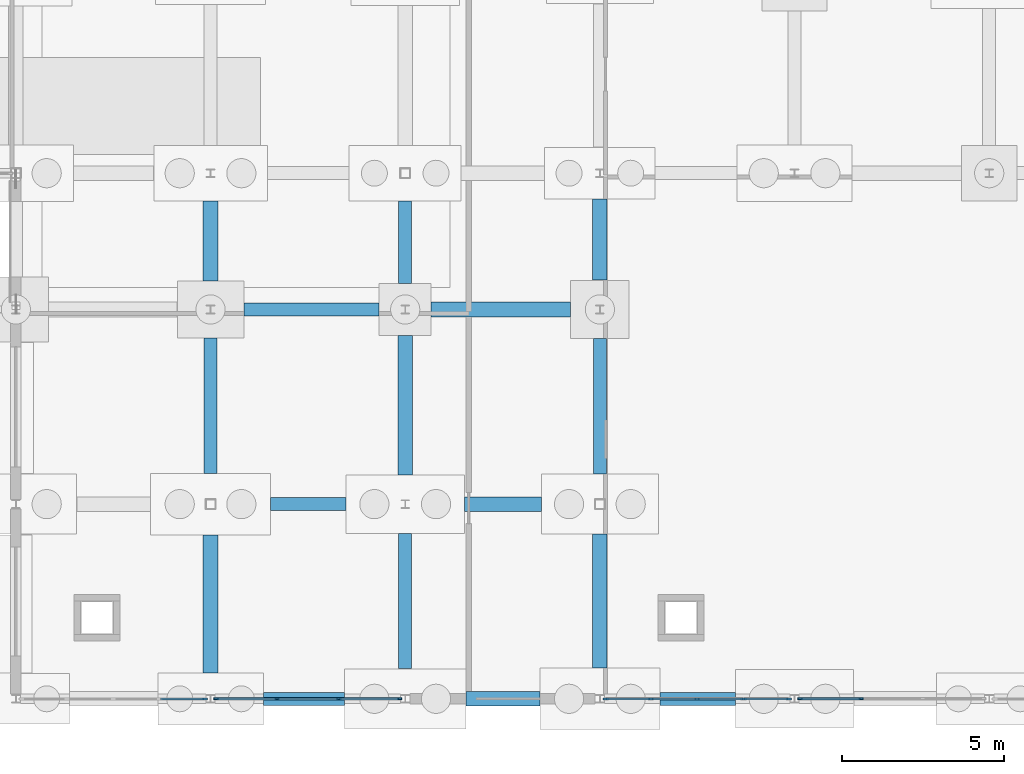
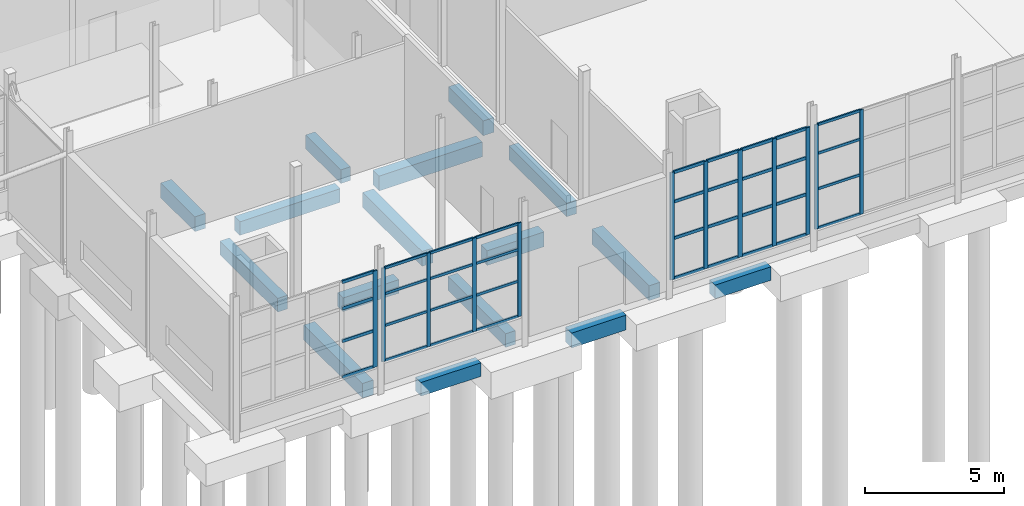
# One storey, part 55 of 120: 48 members, 16 beams, 4 elements without a shape of their own.
"""IFC4 building model written with IfcOpenShell, lengths in metres."""

from ifc_helpers import new_model, si_unit, direction, frame, origin, origin_2d, place, context, subcontext, project, spatial, rectangle, extrude, material, material_profile, profile_set, type_object, element, aggregate, save


model = new_model("IFC4")

# Units and contexts
model_context = context("Model", 3, precision=1e-05, world=origin(), true_north=direction((0.0, 1.0)))
body_context = subcontext(model_context, "Body", "Model", "MODEL_VIEW")
ifc_project = project(units=[si_unit("LENGTHUNIT", "METRE"), si_unit("AREAUNIT", "SQUARE_METRE"), si_unit("VOLUMEUNIT", "CUBIC_METRE"), si_unit("PLANEANGLEUNIT", "RADIAN"), si_unit("MASSUNIT", "GRAM", prefix="KILO")], contexts=[model_context])

# Site, building, storey
site_placement = place(None, origin())
site = spatial("IfcSite", under=ifc_project, at=site_placement, CompositionType="ELEMENT")
building_placement = place(site_placement, origin())
building = spatial("IfcBuilding", under=site, at=building_placement, Name="Siltcreek Boulevard Central Fire Station", CompositionType="ELEMENT")
storey_placement = place(building_placement, origin())
storey = spatial("IfcBuildingStorey", under=building, at=storey_placement, Name="L01", CompositionType="ELEMENT", Elevation=0.0)

# Curtain wall, members
ifc_material_1 = material(Name="Anodized aluminum and low-E insulated glazing", Category="aluminium")
curtain_wall_type_1 = type_object("IfcCurtainWallType", Name="CW_SYS_06", PredefinedType="USERDEFINED", material=ifc_material_1)
curtain_wall_1_placement = place(storey_placement, origin())
curtain_wall_1 = element("IfcCurtainWall", 1, at=curtain_wall_1_placement, inside=storey, type_object=curtain_wall_type_1, Name="L01 V6 unitised curtain wall CW-185", ObjectType="CURTAIN WALL", PredefinedType="USERDEFINED")
ifc_material_2 = material(Name="Anodized 6063-T6 aluminum framing", Category="aluminium")
ifc_material_profile_1 = material_profile(ifc_material_2, rectangle(XDim=0.06005859375, YDim=0.14990234375, at=origin_2d()), Name="MULL60X150")
ifc_profile_set_1 = profile_set([ifc_material_profile_1], Name="Anodized 6063-T6 aluminum framing")
member_type_1 = type_object("IfcMemberType", Name="CWM_60X150", PredefinedType="MULLION", material=ifc_profile_set_1)
member_1_placement = place(storey_placement, frame((130.375, 1.800048828125, 0.919921875), z_axis=(0.0, 0.0, 1.0), x_axis=(0.0, 1.0, 0.0)))
member_1 = element("IfcMember", 2, at=member_1_placement, type_object=member_type_1, Name="CW-185 mullion 1", PredefinedType="MULLION", context=body_context, shape_type="SweptSolid", body=[
    extrude(rectangle(XDim=0.06005859375, YDim=0.14990234375, at=origin_2d()), origin(), (0.0, 0.0, 1.0), 4.114990234375),
])
member_2_placement = place(storey_placement, frame((132.248291015625, 1.800048828125, 0.919921875), z_axis=(0.0, 0.0, 1.0), x_axis=(0.0, 1.0, 0.0)))
member_2 = element("IfcMember", 3, at=member_2_placement, type_object=member_type_1, Name="CW-185 mullion 2", PredefinedType="MULLION", context=body_context, shape_type="SweptSolid", body=[
    extrude(rectangle(XDim=0.06005859375, YDim=0.14990234375, at=origin_2d()), origin(), (0.0, 0.0, 1.0), 4.114990234375),
])
member_3_placement = place(storey_placement, frame((134.151611328125, 1.800048828125, 0.919921875), z_axis=(0.0, 0.0, 1.0), x_axis=(0.0, 1.0, 0.0)))
member_3 = element("IfcMember", 4, at=member_3_placement, type_object=member_type_1, Name="CW-185 mullion 3", PredefinedType="MULLION", context=body_context, shape_type="SweptSolid", body=[
    extrude(rectangle(XDim=0.06005859375, YDim=0.14990234375, at=origin_2d()), origin(), (0.0, 0.0, 1.0), 4.114990234375),
])
member_4_placement = place(storey_placement, frame((136.02490234375, 1.800048828125, 0.919921875), z_axis=(0.0, 0.0, 1.0), x_axis=(0.0, 1.0, 0.0)))
member_4 = element("IfcMember", 5, at=member_4_placement, type_object=member_type_1, Name="CW-185 mullion 4", PredefinedType="MULLION", context=body_context, shape_type="SweptSolid", body=[
    extrude(rectangle(XDim=0.06005859375, YDim=0.14990234375, at=origin_2d()), origin(), (0.0, 0.0, 1.0), 4.114990234375),
])

curtain_wall_type_2 = type_object("IfcCurtainWallType", Name="CW_SYS_08", PredefinedType="USERDEFINED", material=ifc_material_1)
curtain_wall_2_placement = place(storey_placement, origin())
curtain_wall_2 = element("IfcCurtainWall", 6, at=curtain_wall_2_placement, inside=storey, type_object=curtain_wall_type_2, Name="L01 V6 unitised curtain wall CW-187", ObjectType="CURTAIN WALL", PredefinedType="USERDEFINED")
member_5_placement = place(storey_placement, frame((148.375, 1.800048828125, 0.43994140625), z_axis=(0.0, 0.0, 1.0), x_axis=(0.0, 1.0, 0.0)))
member_5 = element("IfcMember", 7, at=member_5_placement, type_object=member_type_1, Name="CW-187 mullion 1", PredefinedType="MULLION", context=body_context, shape_type="SweptSolid", body=[
    extrude(rectangle(XDim=0.06005859375, YDim=0.14990234375, at=origin_2d()), origin(), (0.0, 0.0, 1.0), 4.594970703125),
])
member_6_placement = place(storey_placement, frame((150.248291015625, 1.800048828125, 0.43994140625), z_axis=(0.0, 0.0, 1.0), x_axis=(0.0, 1.0, 0.0)))
member_6 = element("IfcMember", 8, at=member_6_placement, type_object=member_type_1, Name="CW-187 mullion 2", PredefinedType="MULLION", context=body_context, shape_type="SweptSolid", body=[
    extrude(rectangle(XDim=0.06005859375, YDim=0.14990234375, at=origin_2d()), origin(), (0.0, 0.0, 1.0), 4.594970703125),
])

# Curtain wall, member
curtain_wall_type_3 = type_object("IfcCurtainWallType", Name="CW_SYS_05", PredefinedType="USERDEFINED", material=ifc_material_1)
curtain_wall_3_placement = place(storey_placement, origin())
curtain_wall_3 = element("IfcCurtainWall", 9, at=curtain_wall_3_placement, inside=storey, type_object=curtain_wall_type_3, Name="L01 V6 unitised curtain wall CW-184", ObjectType="CURTAIN WALL", PredefinedType="USERDEFINED")
ifc_material_profile_2 = material_profile(ifc_material_2, rectangle(XDim=0.06494140625, YDim=0.175048828125, at=origin_2d()), Name="MULL65X175")
ifc_profile_set_2 = profile_set([ifc_material_profile_2], Name="Anodized 6063-T6 aluminum framing")
member_type_2 = type_object("IfcMemberType", Name="CWM_65X175", PredefinedType="MULLION", material=ifc_profile_set_2)
member_7_placement = place(storey_placement, frame((130.0224609375, 1.800048828125, 0.800048828125), z_axis=(0.0, 0.0, 1.0), x_axis=(0.0, 1.0, 0.0)))
member_7 = element("IfcMember", 10, at=member_7_placement, type_object=member_type_2, Name="CW-184 mullion 5", PredefinedType="MULLION", context=body_context, shape_type="SweptSolid", body=[
    extrude(rectangle(XDim=0.06494140625, YDim=0.175048828125, at=origin_2d()), origin(), (0.0, 0.0, 1.0), 4.23486328125),
])

# Curtain wall, members
curtain_wall_type_4 = type_object("IfcCurtainWallType", Name="CW_SYS_07", PredefinedType="USERDEFINED", material=ifc_material_1)
curtain_wall_4_placement = place(storey_placement, origin())
curtain_wall_4 = element("IfcCurtainWall", 11, at=curtain_wall_4_placement, inside=storey, type_object=curtain_wall_type_4, Name="L01 V6 unitised curtain wall CW-186", ObjectType="CURTAIN WALL", PredefinedType="USERDEFINED")
member_8_placement = place(storey_placement, frame((142.37744140625, 1.800048828125, 0.320068359375), z_axis=(0.0, 0.0, 1.0), x_axis=(0.0, 1.0, 0.0)))
member_8 = element("IfcMember", 12, at=member_8_placement, type_object=member_type_2, Name="CW-186 mullion 1", PredefinedType="MULLION", context=body_context, shape_type="SweptSolid", body=[
    extrude(rectangle(XDim=0.06494140625, YDim=0.175048828125, at=origin_2d()), origin(), (0.0, 0.0, 1.0), 4.71484375),
])
member_9_placement = place(storey_placement, frame((143.7724609375, 1.800048828125, 0.320068359375), z_axis=(0.0, 0.0, 1.0), x_axis=(0.0, 1.0, 0.0)))
member_9 = element("IfcMember", 13, at=member_9_placement, type_object=member_type_2, Name="CW-186 mullion 2", PredefinedType="MULLION", context=body_context, shape_type="SweptSolid", body=[
    extrude(rectangle(XDim=0.06494140625, YDim=0.175048828125, at=origin_2d()), origin(), (0.0, 0.0, 1.0), 4.71484375),
])
member_10_placement = place(storey_placement, frame((145.199951171875, 1.800048828125, 0.320068359375), z_axis=(0.0, 0.0, 1.0), x_axis=(0.0, 1.0, 0.0)))
member_10 = element("IfcMember", 14, at=member_10_placement, type_object=member_type_2, Name="CW-186 mullion 3", PredefinedType="MULLION", context=body_context, shape_type="SweptSolid", body=[
    extrude(rectangle(XDim=0.06494140625, YDim=0.175048828125, at=origin_2d()), origin(), (0.0, 0.0, 1.0), 4.71484375),
])
member_11_placement = place(storey_placement, frame((146.62744140625, 1.800048828125, 0.320068359375), z_axis=(0.0, 0.0, 1.0), x_axis=(0.0, 1.0, 0.0)))
member_11 = element("IfcMember", 15, at=member_11_placement, type_object=member_type_2, Name="CW-186 mullion 4", PredefinedType="MULLION", context=body_context, shape_type="SweptSolid", body=[
    extrude(rectangle(XDim=0.06494140625, YDim=0.175048828125, at=origin_2d()), origin(), (0.0, 0.0, 1.0), 4.71484375),
])
member_12_placement = place(storey_placement, frame((148.0224609375, 1.800048828125, 0.320068359375), z_axis=(0.0, 0.0, 1.0), x_axis=(0.0, 1.0, 0.0)))
member_12 = element("IfcMember", 16, at=member_12_placement, type_object=member_type_2, Name="CW-186 mullion 5", PredefinedType="MULLION", context=body_context, shape_type="SweptSolid", body=[
    extrude(rectangle(XDim=0.06494140625, YDim=0.175048828125, at=origin_2d()), origin(), (0.0, 0.0, 1.0), 4.71484375),
])

# Member
ifc_material_profile_3 = material_profile(ifc_material_2, rectangle(XDim=0.06005859375, YDim=0.114990234375, at=origin_2d()), Name="TRAN60X115")
ifc_profile_set_3 = profile_set([ifc_material_profile_3], Name="Anodized 6063-T6 aluminum framing")
member_type_3 = type_object("IfcMemberType", Name="CWT_60X115", PredefinedType="USERDEFINED", material=ifc_profile_set_3)
member_13_placement = place(storey_placement, frame((130.405029296875, 1.800048828125, 0.949951171875), z_axis=(1.0, 0.0, 0.0), x_axis=(0.0, 1.0, 0.0)))
member_13 = element("IfcMember", 17, at=member_13_placement, type_object=member_type_3, Name="CW-185 transom 1.1", ObjectType="TRANSOM", PredefinedType="USERDEFINED", context=body_context, shape_type="SweptSolid", body=[
    extrude(rectangle(XDim=0.06005859375, YDim=0.114990234375, at=origin_2d()), origin(), (0.0, 0.0, 1.0), 1.813232421875),
])

member_14_placement = place(storey_placement, frame((130.405029296875, 1.800048828125, 2.483642578125), z_axis=(1.0, 0.0, 0.0), x_axis=(0.0, 1.0, 0.0)))
member_14 = element("IfcMember", 18, at=member_14_placement, type_object=member_type_3, Name="CW-185 transom 1.2", ObjectType="TRANSOM", PredefinedType="USERDEFINED", context=body_context, shape_type="SweptSolid", body=[
    extrude(rectangle(XDim=0.06005859375, YDim=0.114990234375, at=origin_2d()), origin(), (0.0, 0.0, 1.0), 1.813232421875),
])

member_15_placement = place(storey_placement, frame((130.405029296875, 1.800048828125, 3.8828125), z_axis=(1.0, 0.0, 0.0), x_axis=(0.0, 1.0, 0.0)))
member_15 = element("IfcMember", 19, at=member_15_placement, type_object=member_type_3, Name="CW-185 transom 1.3", ObjectType="TRANSOM", PredefinedType="USERDEFINED", context=body_context, shape_type="SweptSolid", body=[
    extrude(rectangle(XDim=0.06005859375, YDim=0.114990234375, at=origin_2d()), origin(), (0.0, 0.0, 1.0), 1.813232421875),
])

member_16_placement = place(storey_placement, frame((130.405029296875, 1.800048828125, 5.0048828125), z_axis=(1.0, 0.0, 0.0), x_axis=(0.0, 1.0, 0.0)))
member_16 = element("IfcMember", 20, at=member_16_placement, type_object=member_type_3, Name="CW-185 transom 1.4", ObjectType="TRANSOM", PredefinedType="USERDEFINED", context=body_context, shape_type="SweptSolid", body=[
    extrude(rectangle(XDim=0.06005859375, YDim=0.114990234375, at=origin_2d()), origin(), (0.0, 0.0, 1.0), 1.813232421875),
])

member_17_placement = place(storey_placement, frame((132.2783203125, 1.800048828125, 0.949951171875), z_axis=(1.0, 0.0, 0.0), x_axis=(0.0, 1.0, 0.0)))
member_17 = element("IfcMember", 21, at=member_17_placement, type_object=member_type_3, Name="CW-185 transom 2.1", ObjectType="TRANSOM", PredefinedType="USERDEFINED", context=body_context, shape_type="SweptSolid", body=[
    extrude(rectangle(XDim=0.06005859375, YDim=0.114990234375, at=origin_2d()), origin(), (0.0, 0.0, 1.0), 1.84326171875),
])

member_18_placement = place(storey_placement, frame((132.2783203125, 1.800048828125, 2.483642578125), z_axis=(1.0, 0.0, 0.0), x_axis=(0.0, 1.0, 0.0)))
member_18 = element("IfcMember", 22, at=member_18_placement, type_object=member_type_3, Name="CW-185 transom 2.2", ObjectType="TRANSOM", PredefinedType="USERDEFINED", context=body_context, shape_type="SweptSolid", body=[
    extrude(rectangle(XDim=0.06005859375, YDim=0.114990234375, at=origin_2d()), origin(), (0.0, 0.0, 1.0), 1.84326171875),
])

member_19_placement = place(storey_placement, frame((132.2783203125, 1.800048828125, 3.8828125), z_axis=(1.0, 0.0, 0.0), x_axis=(0.0, 1.0, 0.0)))
member_19 = element("IfcMember", 23, at=member_19_placement, type_object=member_type_3, Name="CW-185 transom 2.3", ObjectType="TRANSOM", PredefinedType="USERDEFINED", context=body_context, shape_type="SweptSolid", body=[
    extrude(rectangle(XDim=0.06005859375, YDim=0.114990234375, at=origin_2d()), origin(), (0.0, 0.0, 1.0), 1.84326171875),
])

member_20_placement = place(storey_placement, frame((132.2783203125, 1.800048828125, 5.0048828125), z_axis=(1.0, 0.0, 0.0), x_axis=(0.0, 1.0, 0.0)))
member_20 = element("IfcMember", 24, at=member_20_placement, type_object=member_type_3, Name="CW-185 transom 2.4", ObjectType="TRANSOM", PredefinedType="USERDEFINED", context=body_context, shape_type="SweptSolid", body=[
    extrude(rectangle(XDim=0.06005859375, YDim=0.114990234375, at=origin_2d()), origin(), (0.0, 0.0, 1.0), 1.84326171875),
])

member_21_placement = place(storey_placement, frame((134.181640625, 1.800048828125, 0.949951171875), z_axis=(1.0, 0.0, 0.0), x_axis=(0.0, 1.0, 0.0)))
member_21 = element("IfcMember", 25, at=member_21_placement, type_object=member_type_3, Name="CW-185 transom 3.1", ObjectType="TRANSOM", PredefinedType="USERDEFINED", context=body_context, shape_type="SweptSolid", body=[
    extrude(rectangle(XDim=0.06005859375, YDim=0.114990234375, at=origin_2d()), origin(), (0.0, 0.0, 1.0), 1.8134765625),
])

member_22_placement = place(storey_placement, frame((134.181640625, 1.800048828125, 2.483642578125), z_axis=(1.0, 0.0, 0.0), x_axis=(0.0, 1.0, 0.0)))
member_22 = element("IfcMember", 26, at=member_22_placement, type_object=member_type_3, Name="CW-185 transom 3.2", ObjectType="TRANSOM", PredefinedType="USERDEFINED", context=body_context, shape_type="SweptSolid", body=[
    extrude(rectangle(XDim=0.06005859375, YDim=0.114990234375, at=origin_2d()), origin(), (0.0, 0.0, 1.0), 1.8134765625),
])

member_23_placement = place(storey_placement, frame((134.181640625, 1.800048828125, 3.8828125), z_axis=(1.0, 0.0, 0.0), x_axis=(0.0, 1.0, 0.0)))
member_23 = element("IfcMember", 27, at=member_23_placement, type_object=member_type_3, Name="CW-185 transom 3.3", ObjectType="TRANSOM", PredefinedType="USERDEFINED", context=body_context, shape_type="SweptSolid", body=[
    extrude(rectangle(XDim=0.06005859375, YDim=0.114990234375, at=origin_2d()), origin(), (0.0, 0.0, 1.0), 1.8134765625),
])

member_24_placement = place(storey_placement, frame((134.181640625, 1.800048828125, 5.0048828125), z_axis=(1.0, 0.0, 0.0), x_axis=(0.0, 1.0, 0.0)))
member_24 = element("IfcMember", 28, at=member_24_placement, type_object=member_type_3, Name="CW-185 transom 3.4", ObjectType="TRANSOM", PredefinedType="USERDEFINED", context=body_context, shape_type="SweptSolid", body=[
    extrude(rectangle(XDim=0.06005859375, YDim=0.114990234375, at=origin_2d()), origin(), (0.0, 0.0, 1.0), 1.8134765625),
])

aggregate(curtain_wall_1, [member_1, member_2, member_3, member_4, member_13, member_14, member_15, member_16, member_17, member_18, member_19, member_20, member_21, member_22, member_23, member_24])

member_25_placement = place(storey_placement, frame((148.405029296875, 1.800048828125, 0.469970703125), z_axis=(1.0, 0.0, 0.0), x_axis=(0.0, 1.0, 0.0)))
member_25 = element("IfcMember", 29, at=member_25_placement, type_object=member_type_3, Name="CW-187 transom 1.1", ObjectType="TRANSOM", PredefinedType="USERDEFINED", context=body_context, shape_type="SweptSolid", body=[
    extrude(rectangle(XDim=0.06005859375, YDim=0.114990234375, at=origin_2d()), origin(), (0.0, 0.0, 1.0), 1.813232421875),
])

member_26_placement = place(storey_placement, frame((148.405029296875, 1.800048828125, 2.18603515625), z_axis=(1.0, 0.0, 0.0), x_axis=(0.0, 1.0, 0.0)))
member_26 = element("IfcMember", 30, at=member_26_placement, type_object=member_type_3, Name="CW-187 transom 1.2", ObjectType="TRANSOM", PredefinedType="USERDEFINED", context=body_context, shape_type="SweptSolid", body=[
    extrude(rectangle(XDim=0.06005859375, YDim=0.114990234375, at=origin_2d()), origin(), (0.0, 0.0, 1.0), 1.813232421875),
])

member_27_placement = place(storey_placement, frame((148.405029296875, 1.800048828125, 3.748291015625), z_axis=(1.0, 0.0, 0.0), x_axis=(0.0, 1.0, 0.0)))
member_27 = element("IfcMember", 31, at=member_27_placement, type_object=member_type_3, Name="CW-187 transom 1.3", ObjectType="TRANSOM", PredefinedType="USERDEFINED", context=body_context, shape_type="SweptSolid", body=[
    extrude(rectangle(XDim=0.06005859375, YDim=0.114990234375, at=origin_2d()), origin(), (0.0, 0.0, 1.0), 1.813232421875),
])

member_28_placement = place(storey_placement, frame((148.405029296875, 1.800048828125, 5.0048828125), z_axis=(1.0, 0.0, 0.0), x_axis=(0.0, 1.0, 0.0)))
member_28 = element("IfcMember", 32, at=member_28_placement, type_object=member_type_3, Name="CW-187 transom 1.4", ObjectType="TRANSOM", PredefinedType="USERDEFINED", context=body_context, shape_type="SweptSolid", body=[
    extrude(rectangle(XDim=0.06005859375, YDim=0.114990234375, at=origin_2d()), origin(), (0.0, 0.0, 1.0), 1.813232421875),
])

aggregate(curtain_wall_2, [member_5, member_6, member_25, member_26, member_27, member_28])

ifc_material_profile_4 = material_profile(ifc_material_2, rectangle(XDim=0.06494140625, YDim=0.135009765625, at=origin_2d()), Name="TRAN65X135")
ifc_profile_set_4 = profile_set([ifc_material_profile_4], Name="Anodized 6063-T6 aluminum framing")
member_type_4 = type_object("IfcMemberType", Name="CWT_65X135", PredefinedType="USERDEFINED", material=ifc_profile_set_4)
member_29_placement = place(storey_placement, frame((128.659912109375, 1.800048828125, 0.83251953125), z_axis=(1.0, 0.0, 0.0), x_axis=(0.0, 1.0, 0.0)))
member_29 = element("IfcMember", 33, at=member_29_placement, type_object=member_type_4, Name="CW-184 transom 4.1", ObjectType="TRANSOM", PredefinedType="USERDEFINED", context=body_context, shape_type="SweptSolid", body=[
    extrude(rectangle(XDim=0.06494140625, YDim=0.135009765625, at=origin_2d()), origin(), (0.0, 0.0, 1.0), 1.330078125),
])

member_30_placement = place(storey_placement, frame((128.659912109375, 1.800048828125, 2.4091796875), z_axis=(1.0, 0.0, 0.0), x_axis=(0.0, 1.0, 0.0)))
member_30 = element("IfcMember", 34, at=member_30_placement, type_object=member_type_4, Name="CW-184 transom 4.2", ObjectType="TRANSOM", PredefinedType="USERDEFINED", context=body_context, shape_type="SweptSolid", body=[
    extrude(rectangle(XDim=0.06494140625, YDim=0.135009765625, at=origin_2d()), origin(), (0.0, 0.0, 1.0), 1.330078125),
])

member_31_placement = place(storey_placement, frame((128.659912109375, 1.800048828125, 3.84912109375), z_axis=(1.0, 0.0, 0.0), x_axis=(0.0, 1.0, 0.0)))
member_31 = element("IfcMember", 35, at=member_31_placement, type_object=member_type_4, Name="CW-184 transom 4.3", ObjectType="TRANSOM", PredefinedType="USERDEFINED", context=body_context, shape_type="SweptSolid", body=[
    extrude(rectangle(XDim=0.06494140625, YDim=0.135009765625, at=origin_2d()), origin(), (0.0, 0.0, 1.0), 1.330078125),
])

member_32_placement = place(storey_placement, frame((128.659912109375, 1.800048828125, 5.00244140625), z_axis=(1.0, 0.0, 0.0), x_axis=(0.0, 1.0, 0.0)))
member_32 = element("IfcMember", 36, at=member_32_placement, type_object=member_type_4, Name="CW-184 transom 4.4", ObjectType="TRANSOM", PredefinedType="USERDEFINED", context=body_context, shape_type="SweptSolid", body=[
    extrude(rectangle(XDim=0.06494140625, YDim=0.135009765625, at=origin_2d()), origin(), (0.0, 0.0, 1.0), 1.330078125),
])

aggregate(curtain_wall_3, [member_7, member_29, member_30, member_31, member_32])

member_33_placement = place(storey_placement, frame((142.409912109375, 1.800048828125, 0.3525390625), z_axis=(1.0, 0.0, 0.0), x_axis=(0.0, 1.0, 0.0)))
member_33 = element("IfcMember", 37, at=member_33_placement, type_object=member_type_4, Name="CW-186 transom 1.1", ObjectType="TRANSOM", PredefinedType="USERDEFINED", context=body_context, shape_type="SweptSolid", body=[
    extrude(rectangle(XDim=0.06494140625, YDim=0.135009765625, at=origin_2d()), origin(), (0.0, 0.0, 1.0), 1.330078125),
])

member_34_placement = place(storey_placement, frame((142.409912109375, 1.800048828125, 2.11181640625), z_axis=(1.0, 0.0, 0.0), x_axis=(0.0, 1.0, 0.0)))
member_34 = element("IfcMember", 38, at=member_34_placement, type_object=member_type_4, Name="CW-186 transom 1.2", ObjectType="TRANSOM", PredefinedType="USERDEFINED", context=body_context, shape_type="SweptSolid", body=[
    extrude(rectangle(XDim=0.06494140625, YDim=0.135009765625, at=origin_2d()), origin(), (0.0, 0.0, 1.0), 1.330078125),
])

member_35_placement = place(storey_placement, frame((142.409912109375, 1.800048828125, 3.71484375), z_axis=(1.0, 0.0, 0.0), x_axis=(0.0, 1.0, 0.0)))
member_35 = element("IfcMember", 39, at=member_35_placement, type_object=member_type_4, Name="CW-186 transom 1.3", ObjectType="TRANSOM", PredefinedType="USERDEFINED", context=body_context, shape_type="SweptSolid", body=[
    extrude(rectangle(XDim=0.06494140625, YDim=0.135009765625, at=origin_2d()), origin(), (0.0, 0.0, 1.0), 1.330078125),
])

member_36_placement = place(storey_placement, frame((142.409912109375, 1.800048828125, 5.00244140625), z_axis=(1.0, 0.0, 0.0), x_axis=(0.0, 1.0, 0.0)))
member_36 = element("IfcMember", 40, at=member_36_placement, type_object=member_type_4, Name="CW-186 transom 1.4", ObjectType="TRANSOM", PredefinedType="USERDEFINED", context=body_context, shape_type="SweptSolid", body=[
    extrude(rectangle(XDim=0.06494140625, YDim=0.135009765625, at=origin_2d()), origin(), (0.0, 0.0, 1.0), 1.330078125),
])

member_37_placement = place(storey_placement, frame((143.804931640625, 1.800048828125, 0.3525390625), z_axis=(1.0, 0.0, 0.0), x_axis=(0.0, 1.0, 0.0)))
member_37 = element("IfcMember", 41, at=member_37_placement, type_object=member_type_4, Name="CW-186 transom 2.1", ObjectType="TRANSOM", PredefinedType="USERDEFINED", context=body_context, shape_type="SweptSolid", body=[
    extrude(rectangle(XDim=0.06494140625, YDim=0.135009765625, at=origin_2d()), origin(), (0.0, 0.0, 1.0), 1.362548828125),
])

member_38_placement = place(storey_placement, frame((143.804931640625, 1.800048828125, 2.11181640625), z_axis=(1.0, 0.0, 0.0), x_axis=(0.0, 1.0, 0.0)))
member_38 = element("IfcMember", 42, at=member_38_placement, type_object=member_type_4, Name="CW-186 transom 2.2", ObjectType="TRANSOM", PredefinedType="USERDEFINED", context=body_context, shape_type="SweptSolid", body=[
    extrude(rectangle(XDim=0.06494140625, YDim=0.135009765625, at=origin_2d()), origin(), (0.0, 0.0, 1.0), 1.362548828125),
])

member_39_placement = place(storey_placement, frame((143.804931640625, 1.800048828125, 3.71484375), z_axis=(1.0, 0.0, 0.0), x_axis=(0.0, 1.0, 0.0)))
member_39 = element("IfcMember", 43, at=member_39_placement, type_object=member_type_4, Name="CW-186 transom 2.3", ObjectType="TRANSOM", PredefinedType="USERDEFINED", context=body_context, shape_type="SweptSolid", body=[
    extrude(rectangle(XDim=0.06494140625, YDim=0.135009765625, at=origin_2d()), origin(), (0.0, 0.0, 1.0), 1.362548828125),
])

member_40_placement = place(storey_placement, frame((143.804931640625, 1.800048828125, 5.00244140625), z_axis=(1.0, 0.0, 0.0), x_axis=(0.0, 1.0, 0.0)))
member_40 = element("IfcMember", 44, at=member_40_placement, type_object=member_type_4, Name="CW-186 transom 2.4", ObjectType="TRANSOM", PredefinedType="USERDEFINED", context=body_context, shape_type="SweptSolid", body=[
    extrude(rectangle(XDim=0.06494140625, YDim=0.135009765625, at=origin_2d()), origin(), (0.0, 0.0, 1.0), 1.362548828125),
])

member_41_placement = place(storey_placement, frame((145.232421875, 1.800048828125, 0.3525390625), z_axis=(1.0, 0.0, 0.0), x_axis=(0.0, 1.0, 0.0)))
member_41 = element("IfcMember", 45, at=member_41_placement, type_object=member_type_4, Name="CW-186 transom 3.1", ObjectType="TRANSOM", PredefinedType="USERDEFINED", context=body_context, shape_type="SweptSolid", body=[
    extrude(rectangle(XDim=0.06494140625, YDim=0.135009765625, at=origin_2d()), origin(), (0.0, 0.0, 1.0), 1.362548828125),
])

member_42_placement = place(storey_placement, frame((145.232421875, 1.800048828125, 2.11181640625), z_axis=(1.0, 0.0, 0.0), x_axis=(0.0, 1.0, 0.0)))
member_42 = element("IfcMember", 46, at=member_42_placement, type_object=member_type_4, Name="CW-186 transom 3.2", ObjectType="TRANSOM", PredefinedType="USERDEFINED", context=body_context, shape_type="SweptSolid", body=[
    extrude(rectangle(XDim=0.06494140625, YDim=0.135009765625, at=origin_2d()), origin(), (0.0, 0.0, 1.0), 1.362548828125),
])

member_43_placement = place(storey_placement, frame((145.232421875, 1.800048828125, 3.71484375), z_axis=(1.0, 0.0, 0.0), x_axis=(0.0, 1.0, 0.0)))
member_43 = element("IfcMember", 47, at=member_43_placement, type_object=member_type_4, Name="CW-186 transom 3.3", ObjectType="TRANSOM", PredefinedType="USERDEFINED", context=body_context, shape_type="SweptSolid", body=[
    extrude(rectangle(XDim=0.06494140625, YDim=0.135009765625, at=origin_2d()), origin(), (0.0, 0.0, 1.0), 1.362548828125),
])

member_44_placement = place(storey_placement, frame((145.232421875, 1.800048828125, 5.00244140625), z_axis=(1.0, 0.0, 0.0), x_axis=(0.0, 1.0, 0.0)))
member_44 = element("IfcMember", 48, at=member_44_placement, type_object=member_type_4, Name="CW-186 transom 3.4", ObjectType="TRANSOM", PredefinedType="USERDEFINED", context=body_context, shape_type="SweptSolid", body=[
    extrude(rectangle(XDim=0.06494140625, YDim=0.135009765625, at=origin_2d()), origin(), (0.0, 0.0, 1.0), 1.362548828125),
])

member_45_placement = place(storey_placement, frame((146.659912109375, 1.800048828125, 0.3525390625), z_axis=(1.0, 0.0, 0.0), x_axis=(0.0, 1.0, 0.0)))
member_45 = element("IfcMember", 49, at=member_45_placement, type_object=member_type_4, Name="CW-186 transom 4.1", ObjectType="TRANSOM", PredefinedType="USERDEFINED", context=body_context, shape_type="SweptSolid", body=[
    extrude(rectangle(XDim=0.06494140625, YDim=0.135009765625, at=origin_2d()), origin(), (0.0, 0.0, 1.0), 1.330078125),
])

member_46_placement = place(storey_placement, frame((146.659912109375, 1.800048828125, 2.11181640625), z_axis=(1.0, 0.0, 0.0), x_axis=(0.0, 1.0, 0.0)))
member_46 = element("IfcMember", 50, at=member_46_placement, type_object=member_type_4, Name="CW-186 transom 4.2", ObjectType="TRANSOM", PredefinedType="USERDEFINED", context=body_context, shape_type="SweptSolid", body=[
    extrude(rectangle(XDim=0.06494140625, YDim=0.135009765625, at=origin_2d()), origin(), (0.0, 0.0, 1.0), 1.330078125),
])

member_47_placement = place(storey_placement, frame((146.659912109375, 1.800048828125, 3.71484375), z_axis=(1.0, 0.0, 0.0), x_axis=(0.0, 1.0, 0.0)))
member_47 = element("IfcMember", 51, at=member_47_placement, type_object=member_type_4, Name="CW-186 transom 4.3", ObjectType="TRANSOM", PredefinedType="USERDEFINED", context=body_context, shape_type="SweptSolid", body=[
    extrude(rectangle(XDim=0.06494140625, YDim=0.135009765625, at=origin_2d()), origin(), (0.0, 0.0, 1.0), 1.330078125),
])

member_48_placement = place(storey_placement, frame((146.659912109375, 1.800048828125, 5.00244140625), z_axis=(1.0, 0.0, 0.0), x_axis=(0.0, 1.0, 0.0)))
member_48 = element("IfcMember", 52, at=member_48_placement, type_object=member_type_4, Name="CW-186 transom 4.4", ObjectType="TRANSOM", PredefinedType="USERDEFINED", context=body_context, shape_type="SweptSolid", body=[
    extrude(rectangle(XDim=0.06494140625, YDim=0.135009765625, at=origin_2d()), origin(), (0.0, 0.0, 1.0), 1.330078125),
])

aggregate(curtain_wall_4, [member_8, member_9, member_10, member_11, member_12, member_33, member_34, member_35, member_36, member_37, member_38, member_39, member_40, member_41, member_42, member_43, member_44, member_45, member_46, member_47, member_48])

# Beams
ifc_material_3 = material(Name="Concrete C35/45", Category="concrete")
ifc_material_profile_5 = material_profile(ifc_material_3, rectangle(XDim=0.39990234375, YDim=0.60009765625, at=origin_2d()), Name="RC400X600")
ifc_profile_set_5 = profile_set([ifc_material_profile_5], Name="Concrete C35/45")
beam_type_1 = type_object("IfcBeamType", Name="GB_RC400X600", PredefinedType="USERDEFINED", material=ifc_profile_set_5)
beam_1_placement = place(storey_placement, frame((131.826904296875, 1.800048828125, -0.7099609375), z_axis=(1.0, 0.0, 0.0), x_axis=(0.0, 1.0, 0.0)))
element("IfcBeam", 53, at=beam_1_placement, inside=storey, type_object=beam_type_1, Name="Reinforced concrete tie grade beam GB-005", ObjectType="GRADE BEAM", PredefinedType="USERDEFINED", context=body_context, shape_type="SweptSolid", body=[
    extrude(rectangle(XDim=0.39990234375, YDim=0.60009765625, at=origin_2d()), origin(), (0.0, 0.0, 1.0), 2.49609375),
])
for number, where, z_axis, x_axis, name in (
    (54, (144.052001953125, 1.800048828125, -0.7099609375), (1.0, 0.0, 0.0), (0.0, 1.0, 0.0), "Reinforced concrete tie grade beam GB-007"),
    (55, (132.052001953125, 7.800048828125, -0.7099609375), (1.0, 0.0, 0.0), (0.0, 1.0, 0.0), "Reinforced concrete tie grade beam GB-015"),
):
    element("IfcBeam", number, at=place(storey_placement, frame(where, z_axis=z_axis, x_axis=x_axis)), inside=storey, type_object=beam_type_1, Name=name, ObjectType="GRADE BEAM", PredefinedType="USERDEFINED", context=body_context, shape_type="SweptSolid", body=[
        extrude(rectangle(XDim=0.39990234375, YDim=0.60009765625, at=origin_2d()), origin(), (0.0, 0.0, 1.0), 2.321044921875),
    ])
beam_2_placement = place(storey_placement, frame((131.22705078125, 13.800048828125, -0.7099609375), z_axis=(1.0, 0.0, 0.0), x_axis=(0.0, 1.0, 0.0)))
element("IfcBeam", 56, at=beam_2_placement, inside=storey, type_object=beam_type_1, Name="Reinforced concrete tie grade beam GB-021", ObjectType="GRADE BEAM", PredefinedType="USERDEFINED", context=body_context, shape_type="SweptSolid", body=[
    extrude(rectangle(XDim=0.39990234375, YDim=0.60009765625, at=origin_2d()), origin(), (0.0, 0.0, 1.0), 4.1708984375),
])
beam_3_placement = place(storey_placement, frame((130.199951171875, 8.751953125, -0.7099609375), z_axis=(0.0, 1.0, 0.0), x_axis=(-1.0, 0.0, 0.0)))
element("IfcBeam", 57, at=beam_3_placement, inside=storey, type_object=beam_type_1, Name="Reinforced concrete tie grade beam GB-211", ObjectType="GRADE BEAM", PredefinedType="USERDEFINED", context=body_context, shape_type="SweptSolid", body=[
    extrude(rectangle(XDim=0.39990234375, YDim=0.60009765625, at=origin_2d()), origin(), (0.0, 0.0, 1.0), 4.171142578125),
])
beam_4_placement = place(storey_placement, frame((136.199951171875, 2.72705078125, -0.7099609375), z_axis=(0.0, 1.0, 0.0), x_axis=(-1.0, 0.0, 0.0)))
element("IfcBeam", 58, at=beam_4_placement, inside=storey, type_object=beam_type_1, Name="Reinforced concrete tie grade beam GB-215", ObjectType="GRADE BEAM", PredefinedType="USERDEFINED", context=body_context, shape_type="SweptSolid", body=[
    extrude(rectangle(XDim=0.39990234375, YDim=0.60009765625, at=origin_2d()), origin(), (0.0, 0.0, 1.0), 4.1708984375),
])
beam_5_placement = place(storey_placement, frame((136.199951171875, 14.60205078125, -0.7099609375), z_axis=(0.0, 1.0, 0.0), x_axis=(-1.0, 0.0, 0.0)))
element("IfcBeam", 59, at=beam_5_placement, inside=storey, type_object=beam_type_1, Name="Reinforced concrete tie grade beam GB-217", ObjectType="GRADE BEAM", PredefinedType="USERDEFINED", context=body_context, shape_type="SweptSolid", body=[
    extrude(rectangle(XDim=0.39990234375, YDim=0.60009765625, at=origin_2d()), origin(), (0.0, 0.0, 1.0), 2.5458984375),
])
beam_6_placement = place(storey_placement, frame((142.199951171875, 8.72705078125, -0.7099609375), z_axis=(0.0, 1.0, 0.0), x_axis=(-1.0, 0.0, 0.0)))
element("IfcBeam", 60, at=beam_6_placement, inside=storey, type_object=beam_type_1, Name="Reinforced concrete tie grade beam GB-221", ObjectType="GRADE BEAM", PredefinedType="USERDEFINED", context=body_context, shape_type="SweptSolid", body=[
    extrude(rectangle(XDim=0.39990234375, YDim=0.60009765625, at=origin_2d()), origin(), (0.0, 0.0, 1.0), 4.1708984375),
])
ifc_material_profile_6 = material_profile(ifc_material_3, rectangle(XDim=0.449951171875, YDim=0.64990234375, at=origin_2d()), Name="RC450X650")
ifc_profile_set_6 = profile_set([ifc_material_profile_6], Name="Concrete C35/45")
beam_type_2 = type_object("IfcBeamType", Name="GB_RC450X650", PredefinedType="USERDEFINED", material=ifc_profile_set_6)
beam_7_placement = place(storey_placement, frame((138.076904296875, 1.800048828125, -0.735107421875), z_axis=(1.0, 0.0, 0.0), x_axis=(0.0, 1.0, 0.0)))
element("IfcBeam", 61, at=beam_7_placement, inside=storey, type_object=beam_type_2, Name="Reinforced concrete tie grade beam GB-006", ObjectType="GRADE BEAM", PredefinedType="USERDEFINED", context=body_context, shape_type="SweptSolid", body=[
    extrude(rectangle(XDim=0.449951171875, YDim=0.64990234375, at=origin_2d()), origin(), (0.0, 0.0, 1.0), 2.27099609375),
])
beam_8_placement = place(storey_placement, frame((138.027099609375, 7.800048828125, -0.735107421875), z_axis=(1.0, 0.0, 0.0), x_axis=(0.0, 1.0, 0.0)))
element("IfcBeam", 62, at=beam_8_placement, inside=storey, type_object=beam_type_2, Name="Reinforced concrete tie grade beam GB-016", ObjectType="GRADE BEAM", PredefinedType="USERDEFINED", context=body_context, shape_type="SweptSolid", body=[
    extrude(rectangle(XDim=0.449951171875, YDim=0.64990234375, at=origin_2d()), origin(), (0.0, 0.0, 1.0), 2.370849609375),
])
beam_9_placement = place(storey_placement, frame((137.001953125, 13.800048828125, -0.735107421875), z_axis=(1.0, 0.0, 0.0), x_axis=(0.0, 1.0, 0.0)))
element("IfcBeam", 63, at=beam_9_placement, inside=storey, type_object=beam_type_2, Name="Reinforced concrete tie grade beam GB-022", ObjectType="GRADE BEAM", PredefinedType="USERDEFINED", context=body_context, shape_type="SweptSolid", body=[
    extrude(rectangle(XDim=0.449951171875, YDim=0.64990234375, at=origin_2d()), origin(), (0.0, 0.0, 1.0), 4.296142578125),
])
beam_10_placement = place(storey_placement, frame((130.199951171875, 2.60205078125, -0.735107421875), z_axis=(0.0, 1.0, 0.0), x_axis=(-1.0, 0.0, 0.0)))
element("IfcBeam", 64, at=beam_10_placement, inside=storey, type_object=beam_type_2, Name="Reinforced concrete tie grade beam GB-210", ObjectType="GRADE BEAM", PredefinedType="USERDEFINED", context=body_context, shape_type="SweptSolid", body=[
    extrude(rectangle(XDim=0.449951171875, YDim=0.64990234375, at=origin_2d()), origin(), (0.0, 0.0, 1.0), 4.245849609375),
])
beam_11_placement = place(storey_placement, frame((130.199951171875, 14.677001953125, -0.735107421875), z_axis=(0.0, 1.0, 0.0), x_axis=(-1.0, 0.0, 0.0)))
element("IfcBeam", 65, at=beam_11_placement, inside=storey, type_object=beam_type_2, Name="Reinforced concrete tie grade beam GB-212", ObjectType="GRADE BEAM", PredefinedType="USERDEFINED", context=body_context, shape_type="SweptSolid", body=[
    extrude(rectangle(XDim=0.449951171875, YDim=0.64990234375, at=origin_2d()), origin(), (0.0, 0.0, 1.0), 2.470947265625),
])
beam_12_placement = place(storey_placement, frame((136.199951171875, 8.701904296875, -0.735107421875), z_axis=(0.0, 1.0, 0.0), x_axis=(-1.0, 0.0, 0.0)))
element("IfcBeam", 66, at=beam_12_placement, inside=storey, type_object=beam_type_2, Name="Reinforced concrete tie grade beam GB-216", ObjectType="GRADE BEAM", PredefinedType="USERDEFINED", context=body_context, shape_type="SweptSolid", body=[
    extrude(rectangle(XDim=0.449951171875, YDim=0.64990234375, at=origin_2d()), origin(), (0.0, 0.0, 1.0), 4.296142578125),
])
beam_13_placement = place(storey_placement, frame((142.199951171875, 2.751953125, -0.735107421875), z_axis=(0.0, 1.0, 0.0), x_axis=(-1.0, 0.0, 0.0)))
element("IfcBeam", 67, at=beam_13_placement, inside=storey, type_object=beam_type_2, Name="Reinforced concrete tie grade beam GB-220", ObjectType="GRADE BEAM", PredefinedType="USERDEFINED", context=body_context, shape_type="SweptSolid", body=[
    extrude(rectangle(XDim=0.449951171875, YDim=0.64990234375, at=origin_2d()), origin(), (0.0, 0.0, 1.0), 4.12109375),
])
beam_14_placement = place(storey_placement, frame((142.199951171875, 14.701904296875, -0.735107421875), z_axis=(0.0, 1.0, 0.0), x_axis=(-1.0, 0.0, 0.0)))
element("IfcBeam", 68, at=beam_14_placement, inside=storey, type_object=beam_type_2, Name="Reinforced concrete tie grade beam GB-222", ObjectType="GRADE BEAM", PredefinedType="USERDEFINED", context=body_context, shape_type="SweptSolid", body=[
    extrude(rectangle(XDim=0.449951171875, YDim=0.64990234375, at=origin_2d()), origin(), (0.0, 0.0, 1.0), 2.49609375),
])

save(model, "model.ifc")
